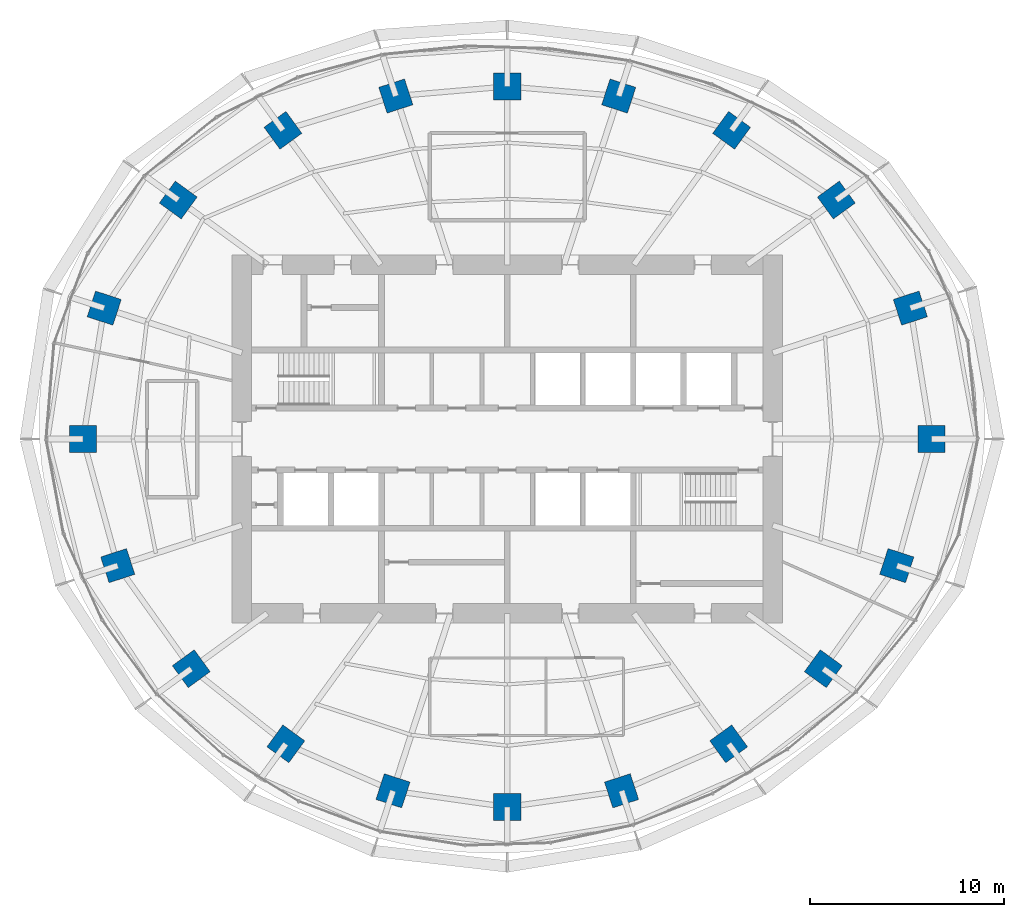
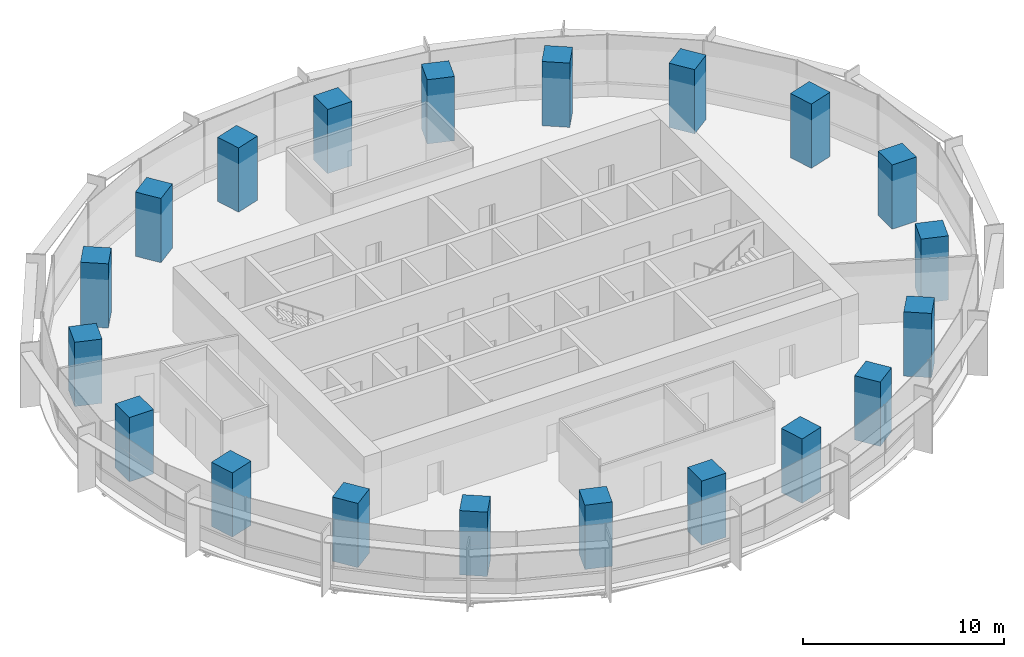
# One storey, part 1 of 14: 20 columns.
"""IFC4 building model written with IfcOpenShell, lengths in metres."""

from ifc_helpers import new_model, si_unit, direction, frame, origin, origin_2d, place, context, subcontext, project, spatial, rectangle, extrude, material, material_profile, profile_set, type_object, element, save


model = new_model("IFC4")

# Units and contexts
model_context = context("Model", 3, precision=1e-05, world=origin(), true_north=direction((0.0, 1.0)))
body_context = subcontext(model_context, "Body", "Model", "MODEL_VIEW")
ifc_project = project(units=[si_unit("LENGTHUNIT", "METRE"), si_unit("AREAUNIT", "SQUARE_METRE"), si_unit("VOLUMEUNIT", "CUBIC_METRE"), si_unit("PLANEANGLEUNIT", "RADIAN"), si_unit("MASSUNIT", "GRAM", prefix="KILO")], contexts=[model_context])

# Site, building, storey
site_placement = place(None, origin())
site = spatial("IfcSite", under=ifc_project, at=site_placement, CompositionType="ELEMENT")
building_placement = place(site_placement, origin())
building = spatial("IfcBuilding", under=site, at=building_placement, Name="Marramba Exchange Tower", CompositionType="ELEMENT")
storey_placement = place(building_placement, frame((0.0, 0.0, 215.0)))
storey = spatial("IfcBuildingStorey", under=building, at=storey_placement, Name="L52", CompositionType="ELEMENT", Elevation=215.0)

# Columns
ifc_material = material(Name="Concrete N50", Category="concrete")
ifc_material_profile = material_profile(ifc_material, rectangle(XDim=1.39990234375, YDim=1.39990234375, at=origin_2d()), Name="RC 1400x1400")
ifc_profile_set = profile_set([ifc_material_profile], Name="Concrete N50")
column_type = type_object("IfcColumnType", Name="Perimeter column RC 1400x1400 N50", PredefinedType="COLUMN", material=ifc_profile_set)
for number, where, z_axis, x_axis, name in (
    (1, (21.89990234375, 0.0, 0.0), (0.0, 0.0, 1.0), (1.0, 0.0, 0.0), "Column TC01 L52"),
    (2, (20.808349609375, 6.760986328125, 0.0), (0.0, 0.0, 1.0), (0.951056516295, 0.309016994375, 0.0), "Column TC02 L52"),
    (3, (16.98583984375, 12.3408203125, 0.0), (0.0, 0.0, 1.0), (0.809016994375, 0.587785252292, 0.0), "Column TC03 L52"),
    (4, (11.581298828125, 15.9404296875, 0.0), (0.0, 0.0, 1.0), (0.587785252292, 0.809016994375, 0.0), "Column TC04 L52"),
    (5, (5.75390625, 17.70849609375, 0.0), (0.0, 0.0, 1.0), (0.309016994375, 0.951056516295, 0.0), "Column TC05 L52"),
    (6, (0.0, 18.2041015625, 0.0), (0.0, 0.0, 1.0), (0.0, 1.0, 0.0), "Column TC06 L52"),
    (7, (-5.75390625, 17.70849609375, 0.0), (0.0, 0.0, 1.0), (-0.309016994375, 0.951056516295, 0.0), "Column TC07 L52"),
    (8, (-11.581298828125, 15.9404296875, 0.0), (0.0, 0.0, 1.0), (-0.587785252292, 0.809016994375, 0.0), "Column TC08 L52"),
    (9, (-16.98583984375, 12.3408203125, 0.0), (0.0, 0.0, 1.0), (-0.809016994375, 0.587785252292, 0.0), "Column TC09 L52"),
    (10, (-20.808349609375, 6.760986328125, 0.0), (0.0, 0.0, 1.0), (-0.951056516295, 0.309016994375, 0.0), "Column TC10 L52"),
    (11, (-21.89990234375, 0.0, 0.0), (0.0, 0.0, 1.0), (-1.0, 0.0, 0.0), "Column TC11 L52"),
    (12, (-20.109375, -6.533935546875, 0.0), (0.0, 0.0, 1.0), (-0.951056516295, -0.309016994375, 0.0), "Column TC12 L52"),
    (13, (-16.3154296875, -11.853759765625, 0.0), (0.0, 0.0, 1.0), (-0.809016994375, -0.587785252292, 0.0), "Column TC13 L52"),
    (14, (-11.430419921875, -15.732666015625, 0.0), (0.0, 0.0, 1.0), (-0.587785252292, -0.809016994375, 0.0), "Column TC14 L52"),
    (15, (-5.899658203125, -18.156982421875, 0.0), (0.0, 0.0, 1.0), (-0.309016994375, -0.951056516295, 0.0), "Column TC15 L52"),
    (16, (0.0, -18.99609375, 0.0), (0.0, 0.0, 1.0), (0.0, -1.0, 0.0), "Column TC16 L52"),
    (17, (5.899658203125, -18.156982421875, 0.0), (0.0, 0.0, 1.0), (0.309016994375, -0.951056516295, 0.0), "Column TC17 L52"),
    (18, (11.430419921875, -15.732666015625, 0.0), (0.0, 0.0, 1.0), (0.587785252292, -0.809016994375, 0.0), "Column TC18 L52"),
    (19, (16.3154296875, -11.853759765625, 0.0), (0.0, 0.0, 1.0), (0.809016994375, -0.587785252292, 0.0), "Column TC19 L52"),
    (20, (20.109375, -6.533935546875, 0.0), (0.0, 0.0, 1.0), (0.951056516295, -0.309016994375, 0.0), "Column TC20 L52"),
):
    element("IfcColumn", number, at=place(storey_placement, frame(where, z_axis=z_axis, x_axis=x_axis)), inside=storey, type_object=column_type, Name=name, PredefinedType="COLUMN", context=body_context, shape_type="SweptSolid", body=[
        extrude(rectangle(XDim=1.39990234375, YDim=1.39990234375, at=origin_2d()), origin(), (0.0, 0.0, 1.0), 3.89990234375),
    ])

save(model, "model.ifc")
